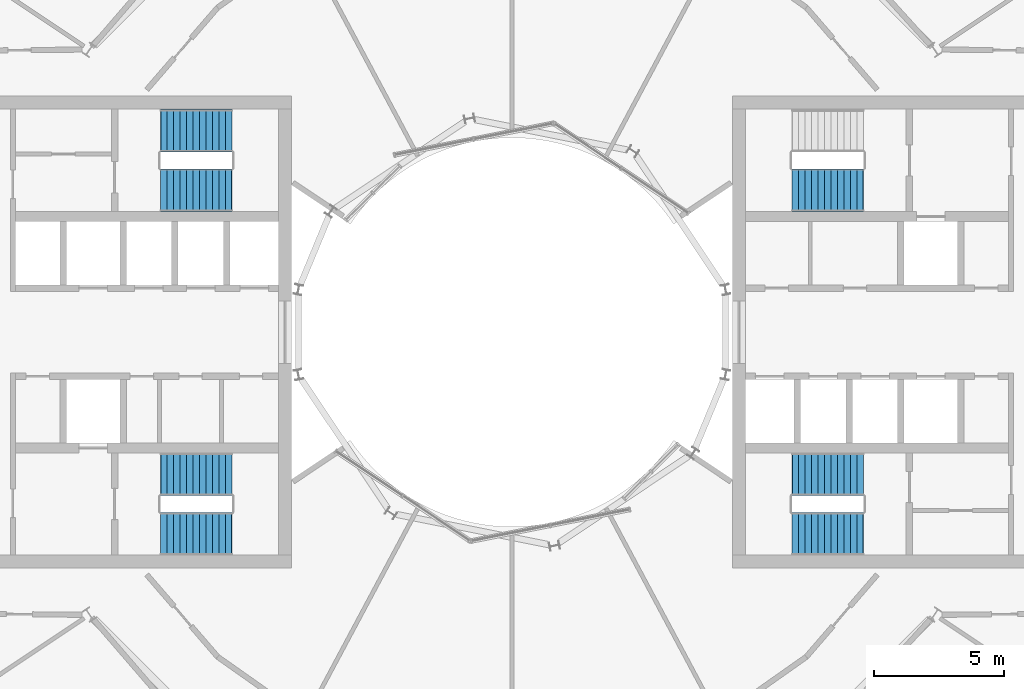
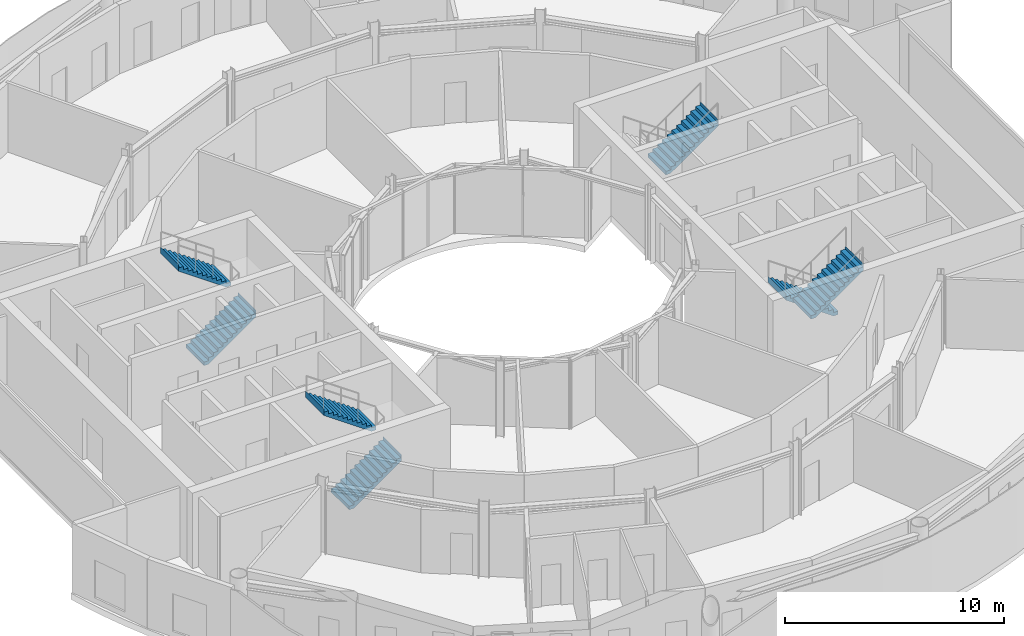
# One storey, part 19 of 21: 7 stair flights, 4 elements without a shape of their own.
"""IFC4 building model written with IfcOpenShell, lengths in metres."""

import ifcopenshell
import ifcopenshell.guid

model = None  # the IFC model being written
_history = None  # IfcOwnerHistory: only IFC2X3 demands one
_inside = {}  # id of a spatial element -> (the spatial element, [elements in it])
_under = {}  # id of a project, library or spatial element -> (it, [spatial elements below it])
_declared = {}  # id of a project -> (the project, [libraries it declares])
_typed = {}  # id of a type object -> (the type object, [elements of that type])
_made_of = {}  # id of a material, layer set ... -> (it, [elements and type objects made of it])


def new_model(schema):
    """Start an empty IFC model of exactly this schema.

    Asked for "IFC4X3", IfcOpenShell would pick the latest addendum, in which some entities
    have other attributes; the version numbers below select the first issue.
    IFC2X3 requires an IfcOwnerHistory on every rooted entity: one is made here for all.
    """
    global model, _history
    if schema == "IFC4X3":
        model = ifcopenshell.file(schema_version=(4, 3, 0, 0))
    else:
        model = ifcopenshell.file(schema=schema)
    _inside.clear()
    _under.clear()
    _declared.clear()
    _typed.clear()
    _made_of.clear()
    _history = None
    if model.schema == "IFC2X3":
        org = make("IfcOrganization", Name="unknown")
        user = make(
            "IfcPersonAndOrganization",
            ThePerson=make("IfcPerson", FamilyName="unknown"),
            TheOrganization=org,
        )
        app = make(
            "IfcApplication",
            ApplicationDeveloper=org,
            Version="unknown",
            ApplicationFullName="unknown",
            ApplicationIdentifier="unknown",
        )
        _history = make(
            "IfcOwnerHistory",
            OwningUser=user,
            OwningApplication=app,
            ChangeAction="ADDED",
            CreationDate=0,
        )
    return model


def make(cls, **values):
    """One entity of the class cls with the attributes given. An attribute that is None is left unset."""
    return model.create_entity(
        cls, **{name: value for name, value in values.items() if value is not None}
    )


def rooted(cls, **values):
    """An entity with a GlobalId (a new one), such as an element, a storey or a relation."""
    return make(cls, GlobalId=ifcopenshell.guid.new(), OwnerHistory=_history, **values)


def si_unit(unit_type, name, prefix=None):
    """IfcSIUnit, for example si_unit("LENGTHUNIT", "METRE", prefix="MILLI")."""
    return make("IfcSIUnit", UnitType=unit_type, Prefix=prefix, Name=name)


def assignment(units):
    """IfcUnitAssignment: the units of a project."""
    return None if units is None else make("IfcUnitAssignment", Units=units)


def point(xyz):
    """IfcCartesianPoint."""
    return None if xyz is None else make("IfcCartesianPoint", Coordinates=xyz)


def direction(xyz):
    """IfcDirection."""
    return None if xyz is None else make("IfcDirection", DirectionRatios=xyz)


def frame(location, z_axis=None, x_axis=None):
    """IfcAxis2Placement3D, a coordinate frame: its origin and axes. An axis left out is left unset."""
    return make(
        "IfcAxis2Placement3D",
        Location=point(location),
        Axis=direction(z_axis),
        RefDirection=direction(x_axis),
    )


def origin():
    """The frame at (0, 0, 0) with its axes left unset."""
    return frame((0.0, 0.0, 0.0))


def place(relative_to, where):
    """IfcLocalPlacement: puts the frame where relative to a parent placement (None: the world)."""
    return make(
        "IfcLocalPlacement", PlacementRelTo=relative_to, RelativePlacement=where
    )


def context(
    kind, dimensions, precision=None, world=None, true_north=None, identifier=None
):
    """IfcGeometricRepresentationContext, for example the 3D "Model" context."""
    return make(
        "IfcGeometricRepresentationContext",
        ContextIdentifier=identifier,
        ContextType=kind,
        CoordinateSpaceDimension=dimensions,
        Precision=precision,
        WorldCoordinateSystem=world,
        TrueNorth=true_north,
    )


def subcontext(parent, identifier, kind, view, scale=None):
    """IfcGeometricRepresentationSubContext, for example "Body" below "Model"."""
    return make(
        "IfcGeometricRepresentationSubContext",
        ContextIdentifier=identifier,
        ContextType=kind,
        ParentContext=parent,
        TargetScale=scale,
        TargetView=view,
    )


def project(units=None, contexts=None):
    """IfcProject with its units and contexts."""
    return rooted(
        "IfcProject",
        Name="project",
        RepresentationContexts=contexts,
        UnitsInContext=assignment(units),
    )


def spatial(cls, under=None, at=None, **own):
    """A site, building, storey or space (cls), placed at a placement, below another one or the project."""
    s = rooted(cls, ObjectPlacement=at, **own)
    if under is not None:
        _under.setdefault(under.id(), (under, []))[1].append(s)
    return s


def point_list(points):
    """IfcCartesianPointList2D or 3D."""
    cls = (
        "IfcCartesianPointList2D" if len(points[0]) == 2 else "IfcCartesianPointList3D"
    )
    return make(cls, CoordList=points)


def triangles(points, corners, closed=None, point_numbers=None):
    """IfcTriangulatedFaceSet: each triangle names its three corners, points numbered from 1."""
    return make(
        "IfcTriangulatedFaceSet",
        Coordinates=point_list(points),
        Closed=closed,
        CoordIndex=corners,
        PnIndex=point_numbers,
    )


def shape(context_of_items, identifier, shape_type, items):
    """IfcShapeRepresentation: the items that make up one representation, for example the "Body"."""
    return make(
        "IfcShapeRepresentation",
        ContextOfItems=context_of_items,
        RepresentationIdentifier=identifier,
        RepresentationType=shape_type,
        Items=items,
    )


def material(Name=None, Category=None):
    """IfcMaterial."""
    return make("IfcMaterial", Name=Name, Category=Category)


def made_of(thing, what):
    """Note that an element or type object is made of a material, layer set ...; save() writes the relation."""
    if what is not None:
        _made_of.setdefault(what.id(), (what, []))[1].append(thing)
    return thing


def type_object(cls, material=None, **own):
    """A type object (cls), such as IfcWallType, which elements share."""
    return made_of(rooted(cls, **own), material)


def element(
    cls,
    number,
    at=None,
    inside=None,
    cuts=None,
    type_object=None,
    material=None,
    context=None,
    identifier="Body",
    shape_type=None,
    held_by="IfcProductDefinitionShape",
    body=None,
    shapes=None,
    **own,
):
    """One element of the class cls, such as IfcWall. Its Tag is "e" and its number.

    at: its placement. inside: the storey or other place that contains it. cuts: it is an
    opening in that element (IfcRelVoidsElement). A single representation is given by context,
    identifier, shape_type and body (its items); several are given by shapes. held_by: the class
    of the entity that holds the representations. save() writes the other relations.
    """
    e = rooted(cls, Tag="e%d" % number, ObjectPlacement=at, **own)
    if body is not None:
        shapes = [shape(context, identifier, shape_type, body)]
    if shapes is not None:
        e.Representation = make(held_by, Representations=shapes)
    if inside is not None:
        _inside.setdefault(inside.id(), (inside, []))[1].append(e)
    if cuts is not None:
        rooted(
            "IfcRelVoidsElement", RelatingBuildingElement=cuts, RelatedOpeningElement=e
        )
    if type_object is not None:
        _typed.setdefault(type_object.id(), (type_object, []))[1].append(e)
    return made_of(e, material)


def aggregate(whole, parts):
    """IfcRelAggregates: a whole, such as a stair, and the parts it consists of."""
    return rooted("IfcRelAggregates", RelatingObject=whole, RelatedObjects=parts)


def save(model, path):
    """Write the relations noted so far, then the file.

    IfcRelAggregates (storeys below a building ...), IfcRelContainedInSpatialStructure (elements
    in a storey), IfcRelDefinesByType, IfcRelAssociatesMaterial and IfcRelDeclares: one each for
    every whole, place, type object, material and project.
    """
    for whole, parts in _under.values():
        aggregate(whole, parts)
    for where, things in _inside.values():
        rooted(
            "IfcRelContainedInSpatialStructure",
            RelatedElements=things,
            RelatingStructure=where,
        )
    for kind, things in _typed.values():
        rooted("IfcRelDefinesByType", RelatedObjects=things, RelatingType=kind)
    for what, things in _made_of.values():
        rooted("IfcRelAssociatesMaterial", RelatedObjects=things, RelatingMaterial=what)
    for by, libraries in _declared.values():
        rooted("IfcRelDeclares", RelatingContext=by, RelatedDefinitions=libraries)
    model.write(path)


model = new_model("IFC4")

# Units and contexts
model_context = context("Model", 3, precision=1e-05, world=origin(), true_north=direction((0.0, 1.0)))
body_context = subcontext(model_context, "Body", "Model", "MODEL_VIEW")
ifc_project = project(units=[si_unit("LENGTHUNIT", "METRE"), si_unit("AREAUNIT", "SQUARE_METRE"), si_unit("VOLUMEUNIT", "CUBIC_METRE"), si_unit("PLANEANGLEUNIT", "RADIAN"), si_unit("MASSUNIT", "GRAM", prefix="KILO")], contexts=[model_context])

# Site, building, storey
site_placement = place(None, origin())
site = spatial("IfcSite", under=ifc_project, at=site_placement, CompositionType="ELEMENT")
building_placement = place(site_placement, origin())
building = spatial("IfcBuilding", under=site, at=building_placement, Name="Maasbend Ring Residences", CompositionType="ELEMENT")
storey_placement = place(building_placement, frame((0.0, 0.0, 157.39990234375)))
storey = spatial("IfcBuildingStorey", under=building, at=storey_placement, Name="L45", CompositionType="ELEMENT", Elevation=157.39990234375)

# Stair, stair flight
ifc_material_1 = material(Name="Concrete C40/50", Category="concrete")
stair_type = type_object("IfcStairType", Name="CORE STAIR 24 RISERS", PredefinedType="HALF_TURN_STAIR", material=ifc_material_1)
stair_1_placement = place(storey_placement, origin())
stair_1 = element("IfcStair", 1, at=stair_1_placement, inside=storey, type_object=stair_type, Name="L45 Exit stair ST-E1", PredefinedType="HALF_TURN_STAIR")
ifc_material_2 = material(Name="Concrete C40/50", Category="concrete")
stair_flight_type = type_object("IfcStairFlightType", Name="CORE STAIR FLIGHT 1650", PredefinedType="STRAIGHT", material=ifc_material_2)
stair_flight_1_placement = place(storey_placement, frame((10.800048828125, 5.47509765625, 2.10009765625), z_axis=(0.0, 0.0, 1.0), x_axis=(1.0, 0.0, 0.0)))
stair_flight_1 = element("IfcStairFlight", 2, at=stair_flight_1_placement, type_object=stair_flight_type, Name="ST-E1 flight 2", NumberOfRisers=12, NumberOfTreads=11, PredefinedType="STRAIGHT", RiserHeight=0.175, TreadLength=0.25, context=body_context, shape_type="Tessellation", body=[
    triangles([(0.23583984375, 0.824951171875, -0.02001953125), (2.7529296875, 0.824951171875, 1.741943359375), (2.7529296875, 0.824951171875, 2.10009765625), (2.739990234375, 0.824951171875, 1.925048828125), (2.5, 0.824951171875, 1.925048828125), (2.5, 0.824951171875, 1.75), (2.25, 0.824951171875, 1.75), (2.25, 0.824951171875, 1.574951171875), (2.0, 0.824951171875, 1.574951171875), (2.0, 0.824951171875, 1.39990234375), (1.75, 0.824951171875, 1.39990234375), (1.75, 0.824951171875, 1.22509765625), (1.5, 0.824951171875, 1.22509765625), (1.5, 0.824951171875, 1.050048828125), (1.25, 0.824951171875, 1.050048828125), (1.25, 0.824951171875, 0.875), (1.0, 0.824951171875, 0.875), (1.0, 0.824951171875, 0.699951171875), (0.75, 0.824951171875, 0.699951171875), (0.75, 0.824951171875, 0.52490234375), (0.5, 0.824951171875, 0.52490234375), (0.5, 0.824951171875, 0.35009765625), (0.25, 0.824951171875, 0.35009765625), (0.25, 0.824951171875, 0.175048828125), (0.0, 0.824951171875, 0.175048828125), (0.0, 0.824951171875, 0.0), (-0.0029296875, 0.824951171875, 0.0), (-0.0029296875, 0.824951171875, -0.02001953125), (0.23583984375, -0.824951171875, -0.02001953125), (2.7529296875, -0.824951171875, 1.741943359375), (2.7529296875, -0.824951171875, 2.10009765625), (2.739990234375, -0.824951171875, 1.925048828125), (2.5, -0.824951171875, 1.925048828125), (2.5, -0.824951171875, 1.75), (2.25, -0.824951171875, 1.75), (2.25, -0.824951171875, 1.574951171875), (2.0, -0.824951171875, 1.574951171875), (2.0, -0.824951171875, 1.39990234375), (1.75, -0.824951171875, 1.39990234375), (1.75, -0.824951171875, 1.22509765625), (1.5, -0.824951171875, 1.22509765625), (1.5, -0.824951171875, 1.050048828125), (1.25, -0.824951171875, 1.050048828125), (1.25, -0.824951171875, 0.875), (1.0, -0.824951171875, 0.875), (1.0, -0.824951171875, 0.699951171875), (0.75, -0.824951171875, 0.699951171875), (0.75, -0.824951171875, 0.52490234375), (0.5, -0.824951171875, 0.52490234375), (0.5, -0.824951171875, 0.35009765625), (0.25, -0.824951171875, 0.35009765625), (0.25, -0.824951171875, 0.175048828125), (0.0, -0.824951171875, 0.175048828125), (0.0, -0.824951171875, 0.0), (-0.0029296875, -0.824951171875, 0.0), (-0.0029296875, -0.824951171875, -0.02001953125)], [[1, 2, 30], [1, 30, 29], [2, 3, 31], [2, 31, 30], [3, 4, 32], [3, 32, 31], [4, 5, 33], [4, 33, 32], [5, 6, 34], [5, 34, 33], [6, 7, 35], [6, 35, 34], [7, 8, 36], [7, 36, 35], [8, 9, 37], [8, 37, 36], [9, 10, 38], [9, 38, 37], [10, 11, 39], [10, 39, 38], [11, 12, 40], [11, 40, 39], [12, 13, 41], [12, 41, 40], [13, 14, 42], [13, 42, 41], [14, 15, 43], [14, 43, 42], [15, 16, 44], [15, 44, 43], [16, 17, 45], [16, 45, 44], [17, 18, 46], [17, 46, 45], [18, 19, 47], [18, 47, 46], [19, 20, 48], [19, 48, 47], [20, 21, 49], [20, 49, 48], [21, 22, 50], [21, 50, 49], [22, 23, 51], [22, 51, 50], [23, 24, 52], [23, 52, 51], [24, 25, 53], [24, 53, 52], [25, 26, 54], [25, 54, 53], [26, 27, 55], [26, 55, 54], [27, 28, 56], [27, 56, 55], [28, 1, 29], [28, 29, 56], [28, 2, 1], [2, 4, 3], [2, 5, 4], [2, 6, 5], [28, 6, 2], [6, 8, 7], [28, 8, 6], [8, 10, 9], [28, 10, 8], [10, 12, 11], [28, 12, 10], [12, 14, 13], [28, 14, 12], [14, 16, 15], [28, 16, 14], [16, 18, 17], [28, 18, 16], [18, 20, 19], [28, 20, 18], [20, 22, 21], [28, 22, 20], [22, 24, 23], [28, 24, 22], [24, 26, 25], [28, 26, 24], [26, 28, 27], [56, 29, 30], [30, 31, 32], [30, 32, 33], [30, 33, 34], [56, 30, 34], [34, 35, 36], [56, 34, 36], [36, 37, 38], [56, 36, 38], [38, 39, 40], [56, 38, 40], [40, 41, 42], [56, 40, 42], [42, 43, 44], [56, 42, 44], [44, 45, 46], [56, 44, 46], [46, 47, 48], [56, 46, 48], [48, 49, 50], [56, 48, 50], [50, 51, 52], [56, 50, 52], [52, 53, 54], [56, 52, 54], [54, 55, 56]], closed=True),
])
aggregate(stair_1, [stair_flight_1])

# Stair, stair flights
stair_2_placement = place(storey_placement, origin())
stair_2 = element("IfcStair", 3, at=stair_2_placement, inside=storey, type_object=stair_type, Name="L45 Exit stair ST-E2", PredefinedType="HALF_TURN_STAIR")
stair_flight_2_placement = place(storey_placement, frame((13.550048828125, -5.47509765625, 0.0), z_axis=(0.0, 0.0, 1.0), x_axis=(-1.0, 0.0, 0.0)))
stair_flight_2 = element("IfcStairFlight", 4, at=stair_flight_2_placement, type_object=stair_flight_type, Name="ST-E2 flight 1", NumberOfRisers=12, NumberOfTreads=11, PredefinedType="STRAIGHT", RiserHeight=0.175, TreadLength=0.25, context=body_context, shape_type="Tessellation", body=[
    triangles([(0.23583984375, 0.824951171875, -0.02001953125), (2.7529296875, 0.824951171875, 1.741943359375), (2.7529296875, 0.824951171875, 2.10009765625), (2.739990234375, 0.824951171875, 1.925048828125), (2.5, 0.824951171875, 1.925048828125), (2.5, 0.824951171875, 1.75), (2.25, 0.824951171875, 1.75), (2.25, 0.824951171875, 1.574951171875), (2.0, 0.824951171875, 1.574951171875), (2.0, 0.824951171875, 1.39990234375), (1.75, 0.824951171875, 1.39990234375), (1.75, 0.824951171875, 1.22509765625), (1.5, 0.824951171875, 1.22509765625), (1.5, 0.824951171875, 1.050048828125), (1.25, 0.824951171875, 1.050048828125), (1.25, 0.824951171875, 0.875), (1.0, 0.824951171875, 0.875), (1.0, 0.824951171875, 0.699951171875), (0.75, 0.824951171875, 0.699951171875), (0.75, 0.824951171875, 0.52490234375), (0.5, 0.824951171875, 0.52490234375), (0.5, 0.824951171875, 0.35009765625), (0.25, 0.824951171875, 0.35009765625), (0.25, 0.824951171875, 0.175048828125), (0.0, 0.824951171875, 0.175048828125), (0.0, 0.824951171875, 0.0), (-0.0029296875, 0.824951171875, 0.0), (-0.0029296875, 0.824951171875, -0.02001953125), (0.23583984375, -0.824951171875, -0.02001953125), (2.7529296875, -0.824951171875, 1.741943359375), (2.7529296875, -0.824951171875, 2.10009765625), (2.739990234375, -0.824951171875, 1.925048828125), (2.5, -0.824951171875, 1.925048828125), (2.5, -0.824951171875, 1.75), (2.25, -0.824951171875, 1.75), (2.25, -0.824951171875, 1.574951171875), (2.0, -0.824951171875, 1.574951171875), (2.0, -0.824951171875, 1.39990234375), (1.75, -0.824951171875, 1.39990234375), (1.75, -0.824951171875, 1.22509765625), (1.5, -0.824951171875, 1.22509765625), (1.5, -0.824951171875, 1.050048828125), (1.25, -0.824951171875, 1.050048828125), (1.25, -0.824951171875, 0.875), (1.0, -0.824951171875, 0.875), (1.0, -0.824951171875, 0.699951171875), (0.75, -0.824951171875, 0.699951171875), (0.75, -0.824951171875, 0.52490234375), (0.5, -0.824951171875, 0.52490234375), (0.5, -0.824951171875, 0.35009765625), (0.25, -0.824951171875, 0.35009765625), (0.25, -0.824951171875, 0.175048828125), (0.0, -0.824951171875, 0.175048828125), (0.0, -0.824951171875, 0.0), (-0.0029296875, -0.824951171875, 0.0), (-0.0029296875, -0.824951171875, -0.02001953125)], [[1, 2, 30], [1, 30, 29], [2, 3, 31], [2, 31, 30], [3, 4, 32], [3, 32, 31], [4, 5, 33], [4, 33, 32], [5, 6, 34], [5, 34, 33], [6, 7, 35], [6, 35, 34], [7, 8, 36], [7, 36, 35], [8, 9, 37], [8, 37, 36], [9, 10, 38], [9, 38, 37], [10, 11, 39], [10, 39, 38], [11, 12, 40], [11, 40, 39], [12, 13, 41], [12, 41, 40], [13, 14, 42], [13, 42, 41], [14, 15, 43], [14, 43, 42], [15, 16, 44], [15, 44, 43], [16, 17, 45], [16, 45, 44], [17, 18, 46], [17, 46, 45], [18, 19, 47], [18, 47, 46], [19, 20, 48], [19, 48, 47], [20, 21, 49], [20, 49, 48], [21, 22, 50], [21, 50, 49], [22, 23, 51], [22, 51, 50], [23, 24, 52], [23, 52, 51], [24, 25, 53], [24, 53, 52], [25, 26, 54], [25, 54, 53], [26, 27, 55], [26, 55, 54], [27, 28, 56], [27, 56, 55], [28, 1, 29], [28, 29, 56], [28, 2, 1], [2, 4, 3], [2, 5, 4], [2, 6, 5], [28, 6, 2], [6, 8, 7], [28, 8, 6], [8, 10, 9], [28, 10, 8], [10, 12, 11], [28, 12, 10], [12, 14, 13], [28, 14, 12], [14, 16, 15], [28, 16, 14], [16, 18, 17], [28, 18, 16], [18, 20, 19], [28, 20, 18], [20, 22, 21], [28, 22, 20], [22, 24, 23], [28, 24, 22], [24, 26, 25], [28, 26, 24], [26, 28, 27], [56, 29, 30], [30, 31, 32], [30, 32, 33], [30, 33, 34], [56, 30, 34], [34, 35, 36], [56, 34, 36], [36, 37, 38], [56, 36, 38], [38, 39, 40], [56, 38, 40], [40, 41, 42], [56, 40, 42], [42, 43, 44], [56, 42, 44], [44, 45, 46], [56, 44, 46], [46, 47, 48], [56, 46, 48], [48, 49, 50], [56, 48, 50], [50, 51, 52], [56, 50, 52], [52, 53, 54], [56, 52, 54], [54, 55, 56]], closed=True),
])
stair_flight_3_placement = place(storey_placement, frame((10.800048828125, -7.77490234375, 2.10009765625), z_axis=(0.0, 0.0, 1.0), x_axis=(1.0, 0.0, 0.0)))
stair_flight_3 = element("IfcStairFlight", 5, at=stair_flight_3_placement, type_object=stair_flight_type, Name="ST-E2 flight 2", NumberOfRisers=12, NumberOfTreads=11, PredefinedType="STRAIGHT", RiserHeight=0.175, TreadLength=0.25, context=body_context, shape_type="Tessellation", body=[
    triangles([(0.23583984375, 0.824951171875, -0.02001953125), (2.7529296875, 0.824951171875, 1.741943359375), (2.7529296875, 0.824951171875, 2.10009765625), (2.739990234375, 0.824951171875, 1.925048828125), (2.5, 0.824951171875, 1.925048828125), (2.5, 0.824951171875, 1.75), (2.25, 0.824951171875, 1.75), (2.25, 0.824951171875, 1.574951171875), (2.0, 0.824951171875, 1.574951171875), (2.0, 0.824951171875, 1.39990234375), (1.75, 0.824951171875, 1.39990234375), (1.75, 0.824951171875, 1.22509765625), (1.5, 0.824951171875, 1.22509765625), (1.5, 0.824951171875, 1.050048828125), (1.25, 0.824951171875, 1.050048828125), (1.25, 0.824951171875, 0.875), (1.0, 0.824951171875, 0.875), (1.0, 0.824951171875, 0.699951171875), (0.75, 0.824951171875, 0.699951171875), (0.75, 0.824951171875, 0.52490234375), (0.5, 0.824951171875, 0.52490234375), (0.5, 0.824951171875, 0.35009765625), (0.25, 0.824951171875, 0.35009765625), (0.25, 0.824951171875, 0.175048828125), (0.0, 0.824951171875, 0.175048828125), (0.0, 0.824951171875, 0.0), (-0.0029296875, 0.824951171875, 0.0), (-0.0029296875, 0.824951171875, -0.02001953125), (0.23583984375, -0.824951171875, -0.02001953125), (2.7529296875, -0.824951171875, 1.741943359375), (2.7529296875, -0.824951171875, 2.10009765625), (2.739990234375, -0.824951171875, 1.925048828125), (2.5, -0.824951171875, 1.925048828125), (2.5, -0.824951171875, 1.75), (2.25, -0.824951171875, 1.75), (2.25, -0.824951171875, 1.574951171875), (2.0, -0.824951171875, 1.574951171875), (2.0, -0.824951171875, 1.39990234375), (1.75, -0.824951171875, 1.39990234375), (1.75, -0.824951171875, 1.22509765625), (1.5, -0.824951171875, 1.22509765625), (1.5, -0.824951171875, 1.050048828125), (1.25, -0.824951171875, 1.050048828125), (1.25, -0.824951171875, 0.875), (1.0, -0.824951171875, 0.875), (1.0, -0.824951171875, 0.699951171875), (0.75, -0.824951171875, 0.699951171875), (0.75, -0.824951171875, 0.52490234375), (0.5, -0.824951171875, 0.52490234375), (0.5, -0.824951171875, 0.35009765625), (0.25, -0.824951171875, 0.35009765625), (0.25, -0.824951171875, 0.175048828125), (0.0, -0.824951171875, 0.175048828125), (0.0, -0.824951171875, 0.0), (-0.0029296875, -0.824951171875, 0.0), (-0.0029296875, -0.824951171875, -0.02001953125)], [[1, 2, 30], [1, 30, 29], [2, 3, 31], [2, 31, 30], [3, 4, 32], [3, 32, 31], [4, 5, 33], [4, 33, 32], [5, 6, 34], [5, 34, 33], [6, 7, 35], [6, 35, 34], [7, 8, 36], [7, 36, 35], [8, 9, 37], [8, 37, 36], [9, 10, 38], [9, 38, 37], [10, 11, 39], [10, 39, 38], [11, 12, 40], [11, 40, 39], [12, 13, 41], [12, 41, 40], [13, 14, 42], [13, 42, 41], [14, 15, 43], [14, 43, 42], [15, 16, 44], [15, 44, 43], [16, 17, 45], [16, 45, 44], [17, 18, 46], [17, 46, 45], [18, 19, 47], [18, 47, 46], [19, 20, 48], [19, 48, 47], [20, 21, 49], [20, 49, 48], [21, 22, 50], [21, 50, 49], [22, 23, 51], [22, 51, 50], [23, 24, 52], [23, 52, 51], [24, 25, 53], [24, 53, 52], [25, 26, 54], [25, 54, 53], [26, 27, 55], [26, 55, 54], [27, 28, 56], [27, 56, 55], [28, 1, 29], [28, 29, 56], [28, 2, 1], [2, 4, 3], [2, 5, 4], [2, 6, 5], [28, 6, 2], [6, 8, 7], [28, 8, 6], [8, 10, 9], [28, 10, 8], [10, 12, 11], [28, 12, 10], [12, 14, 13], [28, 14, 12], [14, 16, 15], [28, 16, 14], [16, 18, 17], [28, 18, 16], [18, 20, 19], [28, 20, 18], [20, 22, 21], [28, 22, 20], [22, 24, 23], [28, 24, 22], [24, 26, 25], [28, 26, 24], [26, 28, 27], [56, 29, 30], [30, 31, 32], [30, 32, 33], [30, 33, 34], [56, 30, 34], [34, 35, 36], [56, 34, 36], [36, 37, 38], [56, 36, 38], [38, 39, 40], [56, 38, 40], [40, 41, 42], [56, 40, 42], [42, 43, 44], [56, 42, 44], [44, 45, 46], [56, 44, 46], [46, 47, 48], [56, 46, 48], [48, 49, 50], [56, 48, 50], [50, 51, 52], [56, 50, 52], [52, 53, 54], [56, 52, 54], [54, 55, 56]], closed=True),
])
aggregate(stair_2, [stair_flight_2, stair_flight_3])

stair_3_placement = place(storey_placement, origin())
stair_3 = element("IfcStair", 6, at=stair_3_placement, inside=storey, type_object=stair_type, Name="L45 Exit stair ST-W1", PredefinedType="HALF_TURN_STAIR")
stair_flight_4_placement = place(storey_placement, frame((-13.550048828125, -7.77490234375, 0.0), z_axis=(0.0, 0.0, 1.0), x_axis=(1.0, 0.0, 0.0)))
stair_flight_4 = element("IfcStairFlight", 7, at=stair_flight_4_placement, type_object=stair_flight_type, Name="ST-W1 flight 1", NumberOfRisers=12, NumberOfTreads=11, PredefinedType="STRAIGHT", RiserHeight=0.175, TreadLength=0.25, context=body_context, shape_type="Tessellation", body=[
    triangles([(0.23583984375, 0.824951171875, -0.02001953125), (2.7529296875, 0.824951171875, 1.741943359375), (2.7529296875, 0.824951171875, 2.10009765625), (2.739990234375, 0.824951171875, 1.925048828125), (2.5, 0.824951171875, 1.925048828125), (2.5, 0.824951171875, 1.75), (2.25, 0.824951171875, 1.75), (2.25, 0.824951171875, 1.574951171875), (2.0, 0.824951171875, 1.574951171875), (2.0, 0.824951171875, 1.39990234375), (1.75, 0.824951171875, 1.39990234375), (1.75, 0.824951171875, 1.22509765625), (1.5, 0.824951171875, 1.22509765625), (1.5, 0.824951171875, 1.050048828125), (1.25, 0.824951171875, 1.050048828125), (1.25, 0.824951171875, 0.875), (1.0, 0.824951171875, 0.875), (1.0, 0.824951171875, 0.699951171875), (0.75, 0.824951171875, 0.699951171875), (0.75, 0.824951171875, 0.52490234375), (0.5, 0.824951171875, 0.52490234375), (0.5, 0.824951171875, 0.35009765625), (0.25, 0.824951171875, 0.35009765625), (0.25, 0.824951171875, 0.175048828125), (0.0, 0.824951171875, 0.175048828125), (0.0, 0.824951171875, 0.0), (-0.0029296875, 0.824951171875, 0.0), (-0.0029296875, 0.824951171875, -0.02001953125), (0.23583984375, -0.824951171875, -0.02001953125), (2.7529296875, -0.824951171875, 1.741943359375), (2.7529296875, -0.824951171875, 2.10009765625), (2.739990234375, -0.824951171875, 1.925048828125), (2.5, -0.824951171875, 1.925048828125), (2.5, -0.824951171875, 1.75), (2.25, -0.824951171875, 1.75), (2.25, -0.824951171875, 1.574951171875), (2.0, -0.824951171875, 1.574951171875), (2.0, -0.824951171875, 1.39990234375), (1.75, -0.824951171875, 1.39990234375), (1.75, -0.824951171875, 1.22509765625), (1.5, -0.824951171875, 1.22509765625), (1.5, -0.824951171875, 1.050048828125), (1.25, -0.824951171875, 1.050048828125), (1.25, -0.824951171875, 0.875), (1.0, -0.824951171875, 0.875), (1.0, -0.824951171875, 0.699951171875), (0.75, -0.824951171875, 0.699951171875), (0.75, -0.824951171875, 0.52490234375), (0.5, -0.824951171875, 0.52490234375), (0.5, -0.824951171875, 0.35009765625), (0.25, -0.824951171875, 0.35009765625), (0.25, -0.824951171875, 0.175048828125), (0.0, -0.824951171875, 0.175048828125), (0.0, -0.824951171875, 0.0), (-0.0029296875, -0.824951171875, 0.0), (-0.0029296875, -0.824951171875, -0.02001953125)], [[1, 2, 30], [1, 30, 29], [2, 3, 31], [2, 31, 30], [3, 4, 32], [3, 32, 31], [4, 5, 33], [4, 33, 32], [5, 6, 34], [5, 34, 33], [6, 7, 35], [6, 35, 34], [7, 8, 36], [7, 36, 35], [8, 9, 37], [8, 37, 36], [9, 10, 38], [9, 38, 37], [10, 11, 39], [10, 39, 38], [11, 12, 40], [11, 40, 39], [12, 13, 41], [12, 41, 40], [13, 14, 42], [13, 42, 41], [14, 15, 43], [14, 43, 42], [15, 16, 44], [15, 44, 43], [16, 17, 45], [16, 45, 44], [17, 18, 46], [17, 46, 45], [18, 19, 47], [18, 47, 46], [19, 20, 48], [19, 48, 47], [20, 21, 49], [20, 49, 48], [21, 22, 50], [21, 50, 49], [22, 23, 51], [22, 51, 50], [23, 24, 52], [23, 52, 51], [24, 25, 53], [24, 53, 52], [25, 26, 54], [25, 54, 53], [26, 27, 55], [26, 55, 54], [27, 28, 56], [27, 56, 55], [28, 1, 29], [28, 29, 56], [28, 2, 1], [2, 4, 3], [2, 5, 4], [2, 6, 5], [28, 6, 2], [6, 8, 7], [28, 8, 6], [8, 10, 9], [28, 10, 8], [10, 12, 11], [28, 12, 10], [12, 14, 13], [28, 14, 12], [14, 16, 15], [28, 16, 14], [16, 18, 17], [28, 18, 16], [18, 20, 19], [28, 20, 18], [20, 22, 21], [28, 22, 20], [22, 24, 23], [28, 24, 22], [24, 26, 25], [28, 26, 24], [26, 28, 27], [56, 29, 30], [30, 31, 32], [30, 32, 33], [30, 33, 34], [56, 30, 34], [34, 35, 36], [56, 34, 36], [36, 37, 38], [56, 36, 38], [38, 39, 40], [56, 38, 40], [40, 41, 42], [56, 40, 42], [42, 43, 44], [56, 42, 44], [44, 45, 46], [56, 44, 46], [46, 47, 48], [56, 46, 48], [48, 49, 50], [56, 48, 50], [50, 51, 52], [56, 50, 52], [52, 53, 54], [56, 52, 54], [54, 55, 56]], closed=True),
])
stair_flight_5_placement = place(storey_placement, frame((-10.800048828125, -5.47509765625, 2.10009765625), z_axis=(0.0, 0.0, 1.0), x_axis=(-1.0, 0.0, 0.0)))
stair_flight_5 = element("IfcStairFlight", 8, at=stair_flight_5_placement, type_object=stair_flight_type, Name="ST-W1 flight 2", NumberOfRisers=12, NumberOfTreads=11, PredefinedType="STRAIGHT", RiserHeight=0.175, TreadLength=0.25, context=body_context, shape_type="Tessellation", body=[
    triangles([(0.23583984375, 0.824951171875, -0.02001953125), (2.7529296875, 0.824951171875, 1.741943359375), (2.7529296875, 0.824951171875, 2.10009765625), (2.739990234375, 0.824951171875, 1.925048828125), (2.5, 0.824951171875, 1.925048828125), (2.5, 0.824951171875, 1.75), (2.25, 0.824951171875, 1.75), (2.25, 0.824951171875, 1.574951171875), (2.0, 0.824951171875, 1.574951171875), (2.0, 0.824951171875, 1.39990234375), (1.75, 0.824951171875, 1.39990234375), (1.75, 0.824951171875, 1.22509765625), (1.5, 0.824951171875, 1.22509765625), (1.5, 0.824951171875, 1.050048828125), (1.25, 0.824951171875, 1.050048828125), (1.25, 0.824951171875, 0.875), (1.0, 0.824951171875, 0.875), (1.0, 0.824951171875, 0.699951171875), (0.75, 0.824951171875, 0.699951171875), (0.75, 0.824951171875, 0.52490234375), (0.5, 0.824951171875, 0.52490234375), (0.5, 0.824951171875, 0.35009765625), (0.25, 0.824951171875, 0.35009765625), (0.25, 0.824951171875, 0.175048828125), (0.0, 0.824951171875, 0.175048828125), (0.0, 0.824951171875, 0.0), (-0.0029296875, 0.824951171875, 0.0), (-0.0029296875, 0.824951171875, -0.02001953125), (0.23583984375, -0.824951171875, -0.02001953125), (2.7529296875, -0.824951171875, 1.741943359375), (2.7529296875, -0.824951171875, 2.10009765625), (2.739990234375, -0.824951171875, 1.925048828125), (2.5, -0.824951171875, 1.925048828125), (2.5, -0.824951171875, 1.75), (2.25, -0.824951171875, 1.75), (2.25, -0.824951171875, 1.574951171875), (2.0, -0.824951171875, 1.574951171875), (2.0, -0.824951171875, 1.39990234375), (1.75, -0.824951171875, 1.39990234375), (1.75, -0.824951171875, 1.22509765625), (1.5, -0.824951171875, 1.22509765625), (1.5, -0.824951171875, 1.050048828125), (1.25, -0.824951171875, 1.050048828125), (1.25, -0.824951171875, 0.875), (1.0, -0.824951171875, 0.875), (1.0, -0.824951171875, 0.699951171875), (0.75, -0.824951171875, 0.699951171875), (0.75, -0.824951171875, 0.52490234375), (0.5, -0.824951171875, 0.52490234375), (0.5, -0.824951171875, 0.35009765625), (0.25, -0.824951171875, 0.35009765625), (0.25, -0.824951171875, 0.175048828125), (0.0, -0.824951171875, 0.175048828125), (0.0, -0.824951171875, 0.0), (-0.0029296875, -0.824951171875, 0.0), (-0.0029296875, -0.824951171875, -0.02001953125)], [[1, 2, 30], [1, 30, 29], [2, 3, 31], [2, 31, 30], [3, 4, 32], [3, 32, 31], [4, 5, 33], [4, 33, 32], [5, 6, 34], [5, 34, 33], [6, 7, 35], [6, 35, 34], [7, 8, 36], [7, 36, 35], [8, 9, 37], [8, 37, 36], [9, 10, 38], [9, 38, 37], [10, 11, 39], [10, 39, 38], [11, 12, 40], [11, 40, 39], [12, 13, 41], [12, 41, 40], [13, 14, 42], [13, 42, 41], [14, 15, 43], [14, 43, 42], [15, 16, 44], [15, 44, 43], [16, 17, 45], [16, 45, 44], [17, 18, 46], [17, 46, 45], [18, 19, 47], [18, 47, 46], [19, 20, 48], [19, 48, 47], [20, 21, 49], [20, 49, 48], [21, 22, 50], [21, 50, 49], [22, 23, 51], [22, 51, 50], [23, 24, 52], [23, 52, 51], [24, 25, 53], [24, 53, 52], [25, 26, 54], [25, 54, 53], [26, 27, 55], [26, 55, 54], [27, 28, 56], [27, 56, 55], [28, 1, 29], [28, 29, 56], [28, 2, 1], [2, 4, 3], [2, 5, 4], [2, 6, 5], [28, 6, 2], [6, 8, 7], [28, 8, 6], [8, 10, 9], [28, 10, 8], [10, 12, 11], [28, 12, 10], [12, 14, 13], [28, 14, 12], [14, 16, 15], [28, 16, 14], [16, 18, 17], [28, 18, 16], [18, 20, 19], [28, 20, 18], [20, 22, 21], [28, 22, 20], [22, 24, 23], [28, 24, 22], [24, 26, 25], [28, 26, 24], [26, 28, 27], [56, 29, 30], [30, 31, 32], [30, 32, 33], [30, 33, 34], [56, 30, 34], [34, 35, 36], [56, 34, 36], [36, 37, 38], [56, 36, 38], [38, 39, 40], [56, 38, 40], [40, 41, 42], [56, 40, 42], [42, 43, 44], [56, 42, 44], [44, 45, 46], [56, 44, 46], [46, 47, 48], [56, 46, 48], [48, 49, 50], [56, 48, 50], [50, 51, 52], [56, 50, 52], [52, 53, 54], [56, 52, 54], [54, 55, 56]], closed=True),
])
aggregate(stair_3, [stair_flight_4, stair_flight_5])

stair_4_placement = place(storey_placement, origin())
stair_4 = element("IfcStair", 9, at=stair_4_placement, inside=storey, type_object=stair_type, Name="L45 Exit stair ST-W2", PredefinedType="HALF_TURN_STAIR")
stair_flight_6_placement = place(storey_placement, frame((-13.550048828125, 5.47509765625, 0.0), z_axis=(0.0, 0.0, 1.0), x_axis=(1.0, 0.0, 0.0)))
stair_flight_6 = element("IfcStairFlight", 10, at=stair_flight_6_placement, type_object=stair_flight_type, Name="ST-W2 flight 1", NumberOfRisers=12, NumberOfTreads=11, PredefinedType="STRAIGHT", RiserHeight=0.175, TreadLength=0.25, context=body_context, shape_type="Tessellation", body=[
    triangles([(0.23583984375, 0.824951171875, -0.02001953125), (2.7529296875, 0.824951171875, 1.741943359375), (2.7529296875, 0.824951171875, 2.10009765625), (2.739990234375, 0.824951171875, 1.925048828125), (2.5, 0.824951171875, 1.925048828125), (2.5, 0.824951171875, 1.75), (2.25, 0.824951171875, 1.75), (2.25, 0.824951171875, 1.574951171875), (2.0, 0.824951171875, 1.574951171875), (2.0, 0.824951171875, 1.39990234375), (1.75, 0.824951171875, 1.39990234375), (1.75, 0.824951171875, 1.22509765625), (1.5, 0.824951171875, 1.22509765625), (1.5, 0.824951171875, 1.050048828125), (1.25, 0.824951171875, 1.050048828125), (1.25, 0.824951171875, 0.875), (1.0, 0.824951171875, 0.875), (1.0, 0.824951171875, 0.699951171875), (0.75, 0.824951171875, 0.699951171875), (0.75, 0.824951171875, 0.52490234375), (0.5, 0.824951171875, 0.52490234375), (0.5, 0.824951171875, 0.35009765625), (0.25, 0.824951171875, 0.35009765625), (0.25, 0.824951171875, 0.175048828125), (0.0, 0.824951171875, 0.175048828125), (0.0, 0.824951171875, 0.0), (-0.0029296875, 0.824951171875, 0.0), (-0.0029296875, 0.824951171875, -0.02001953125), (0.23583984375, -0.824951171875, -0.02001953125), (2.7529296875, -0.824951171875, 1.741943359375), (2.7529296875, -0.824951171875, 2.10009765625), (2.739990234375, -0.824951171875, 1.925048828125), (2.5, -0.824951171875, 1.925048828125), (2.5, -0.824951171875, 1.75), (2.25, -0.824951171875, 1.75), (2.25, -0.824951171875, 1.574951171875), (2.0, -0.824951171875, 1.574951171875), (2.0, -0.824951171875, 1.39990234375), (1.75, -0.824951171875, 1.39990234375), (1.75, -0.824951171875, 1.22509765625), (1.5, -0.824951171875, 1.22509765625), (1.5, -0.824951171875, 1.050048828125), (1.25, -0.824951171875, 1.050048828125), (1.25, -0.824951171875, 0.875), (1.0, -0.824951171875, 0.875), (1.0, -0.824951171875, 0.699951171875), (0.75, -0.824951171875, 0.699951171875), (0.75, -0.824951171875, 0.52490234375), (0.5, -0.824951171875, 0.52490234375), (0.5, -0.824951171875, 0.35009765625), (0.25, -0.824951171875, 0.35009765625), (0.25, -0.824951171875, 0.175048828125), (0.0, -0.824951171875, 0.175048828125), (0.0, -0.824951171875, 0.0), (-0.0029296875, -0.824951171875, 0.0), (-0.0029296875, -0.824951171875, -0.02001953125)], [[1, 2, 30], [1, 30, 29], [2, 3, 31], [2, 31, 30], [3, 4, 32], [3, 32, 31], [4, 5, 33], [4, 33, 32], [5, 6, 34], [5, 34, 33], [6, 7, 35], [6, 35, 34], [7, 8, 36], [7, 36, 35], [8, 9, 37], [8, 37, 36], [9, 10, 38], [9, 38, 37], [10, 11, 39], [10, 39, 38], [11, 12, 40], [11, 40, 39], [12, 13, 41], [12, 41, 40], [13, 14, 42], [13, 42, 41], [14, 15, 43], [14, 43, 42], [15, 16, 44], [15, 44, 43], [16, 17, 45], [16, 45, 44], [17, 18, 46], [17, 46, 45], [18, 19, 47], [18, 47, 46], [19, 20, 48], [19, 48, 47], [20, 21, 49], [20, 49, 48], [21, 22, 50], [21, 50, 49], [22, 23, 51], [22, 51, 50], [23, 24, 52], [23, 52, 51], [24, 25, 53], [24, 53, 52], [25, 26, 54], [25, 54, 53], [26, 27, 55], [26, 55, 54], [27, 28, 56], [27, 56, 55], [28, 1, 29], [28, 29, 56], [28, 2, 1], [2, 4, 3], [2, 5, 4], [2, 6, 5], [28, 6, 2], [6, 8, 7], [28, 8, 6], [8, 10, 9], [28, 10, 8], [10, 12, 11], [28, 12, 10], [12, 14, 13], [28, 14, 12], [14, 16, 15], [28, 16, 14], [16, 18, 17], [28, 18, 16], [18, 20, 19], [28, 20, 18], [20, 22, 21], [28, 22, 20], [22, 24, 23], [28, 24, 22], [24, 26, 25], [28, 26, 24], [26, 28, 27], [56, 29, 30], [30, 31, 32], [30, 32, 33], [30, 33, 34], [56, 30, 34], [34, 35, 36], [56, 34, 36], [36, 37, 38], [56, 36, 38], [38, 39, 40], [56, 38, 40], [40, 41, 42], [56, 40, 42], [42, 43, 44], [56, 42, 44], [44, 45, 46], [56, 44, 46], [46, 47, 48], [56, 46, 48], [48, 49, 50], [56, 48, 50], [50, 51, 52], [56, 50, 52], [52, 53, 54], [56, 52, 54], [54, 55, 56]], closed=True),
])
stair_flight_7_placement = place(storey_placement, frame((-10.800048828125, 7.77490234375, 2.10009765625), z_axis=(0.0, 0.0, 1.0), x_axis=(-1.0, 0.0, 0.0)))
stair_flight_7 = element("IfcStairFlight", 11, at=stair_flight_7_placement, type_object=stair_flight_type, Name="ST-W2 flight 2", NumberOfRisers=12, NumberOfTreads=11, PredefinedType="STRAIGHT", RiserHeight=0.175, TreadLength=0.25, context=body_context, shape_type="Tessellation", body=[
    triangles([(0.23583984375, 0.824951171875, -0.02001953125), (2.7529296875, 0.824951171875, 1.741943359375), (2.7529296875, 0.824951171875, 2.10009765625), (2.739990234375, 0.824951171875, 1.925048828125), (2.5, 0.824951171875, 1.925048828125), (2.5, 0.824951171875, 1.75), (2.25, 0.824951171875, 1.75), (2.25, 0.824951171875, 1.574951171875), (2.0, 0.824951171875, 1.574951171875), (2.0, 0.824951171875, 1.39990234375), (1.75, 0.824951171875, 1.39990234375), (1.75, 0.824951171875, 1.22509765625), (1.5, 0.824951171875, 1.22509765625), (1.5, 0.824951171875, 1.050048828125), (1.25, 0.824951171875, 1.050048828125), (1.25, 0.824951171875, 0.875), (1.0, 0.824951171875, 0.875), (1.0, 0.824951171875, 0.699951171875), (0.75, 0.824951171875, 0.699951171875), (0.75, 0.824951171875, 0.52490234375), (0.5, 0.824951171875, 0.52490234375), (0.5, 0.824951171875, 0.35009765625), (0.25, 0.824951171875, 0.35009765625), (0.25, 0.824951171875, 0.175048828125), (0.0, 0.824951171875, 0.175048828125), (0.0, 0.824951171875, 0.0), (-0.0029296875, 0.824951171875, 0.0), (-0.0029296875, 0.824951171875, -0.02001953125), (0.23583984375, -0.824951171875, -0.02001953125), (2.7529296875, -0.824951171875, 1.741943359375), (2.7529296875, -0.824951171875, 2.10009765625), (2.739990234375, -0.824951171875, 1.925048828125), (2.5, -0.824951171875, 1.925048828125), (2.5, -0.824951171875, 1.75), (2.25, -0.824951171875, 1.75), (2.25, -0.824951171875, 1.574951171875), (2.0, -0.824951171875, 1.574951171875), (2.0, -0.824951171875, 1.39990234375), (1.75, -0.824951171875, 1.39990234375), (1.75, -0.824951171875, 1.22509765625), (1.5, -0.824951171875, 1.22509765625), (1.5, -0.824951171875, 1.050048828125), (1.25, -0.824951171875, 1.050048828125), (1.25, -0.824951171875, 0.875), (1.0, -0.824951171875, 0.875), (1.0, -0.824951171875, 0.699951171875), (0.75, -0.824951171875, 0.699951171875), (0.75, -0.824951171875, 0.52490234375), (0.5, -0.824951171875, 0.52490234375), (0.5, -0.824951171875, 0.35009765625), (0.25, -0.824951171875, 0.35009765625), (0.25, -0.824951171875, 0.175048828125), (0.0, -0.824951171875, 0.175048828125), (0.0, -0.824951171875, 0.0), (-0.0029296875, -0.824951171875, 0.0), (-0.0029296875, -0.824951171875, -0.02001953125)], [[1, 2, 30], [1, 30, 29], [2, 3, 31], [2, 31, 30], [3, 4, 32], [3, 32, 31], [4, 5, 33], [4, 33, 32], [5, 6, 34], [5, 34, 33], [6, 7, 35], [6, 35, 34], [7, 8, 36], [7, 36, 35], [8, 9, 37], [8, 37, 36], [9, 10, 38], [9, 38, 37], [10, 11, 39], [10, 39, 38], [11, 12, 40], [11, 40, 39], [12, 13, 41], [12, 41, 40], [13, 14, 42], [13, 42, 41], [14, 15, 43], [14, 43, 42], [15, 16, 44], [15, 44, 43], [16, 17, 45], [16, 45, 44], [17, 18, 46], [17, 46, 45], [18, 19, 47], [18, 47, 46], [19, 20, 48], [19, 48, 47], [20, 21, 49], [20, 49, 48], [21, 22, 50], [21, 50, 49], [22, 23, 51], [22, 51, 50], [23, 24, 52], [23, 52, 51], [24, 25, 53], [24, 53, 52], [25, 26, 54], [25, 54, 53], [26, 27, 55], [26, 55, 54], [27, 28, 56], [27, 56, 55], [28, 1, 29], [28, 29, 56], [28, 2, 1], [2, 4, 3], [2, 5, 4], [2, 6, 5], [28, 6, 2], [6, 8, 7], [28, 8, 6], [8, 10, 9], [28, 10, 8], [10, 12, 11], [28, 12, 10], [12, 14, 13], [28, 14, 12], [14, 16, 15], [28, 16, 14], [16, 18, 17], [28, 18, 16], [18, 20, 19], [28, 20, 18], [20, 22, 21], [28, 22, 20], [22, 24, 23], [28, 24, 22], [24, 26, 25], [28, 26, 24], [26, 28, 27], [56, 29, 30], [30, 31, 32], [30, 32, 33], [30, 33, 34], [56, 30, 34], [34, 35, 36], [56, 34, 36], [36, 37, 38], [56, 36, 38], [38, 39, 40], [56, 38, 40], [40, 41, 42], [56, 40, 42], [42, 43, 44], [56, 42, 44], [44, 45, 46], [56, 44, 46], [46, 47, 48], [56, 46, 48], [48, 49, 50], [56, 48, 50], [50, 51, 52], [56, 50, 52], [52, 53, 54], [56, 52, 54], [54, 55, 56]], closed=True),
])
aggregate(stair_4, [stair_flight_6, stair_flight_7])

save(model, "model.ifc")
